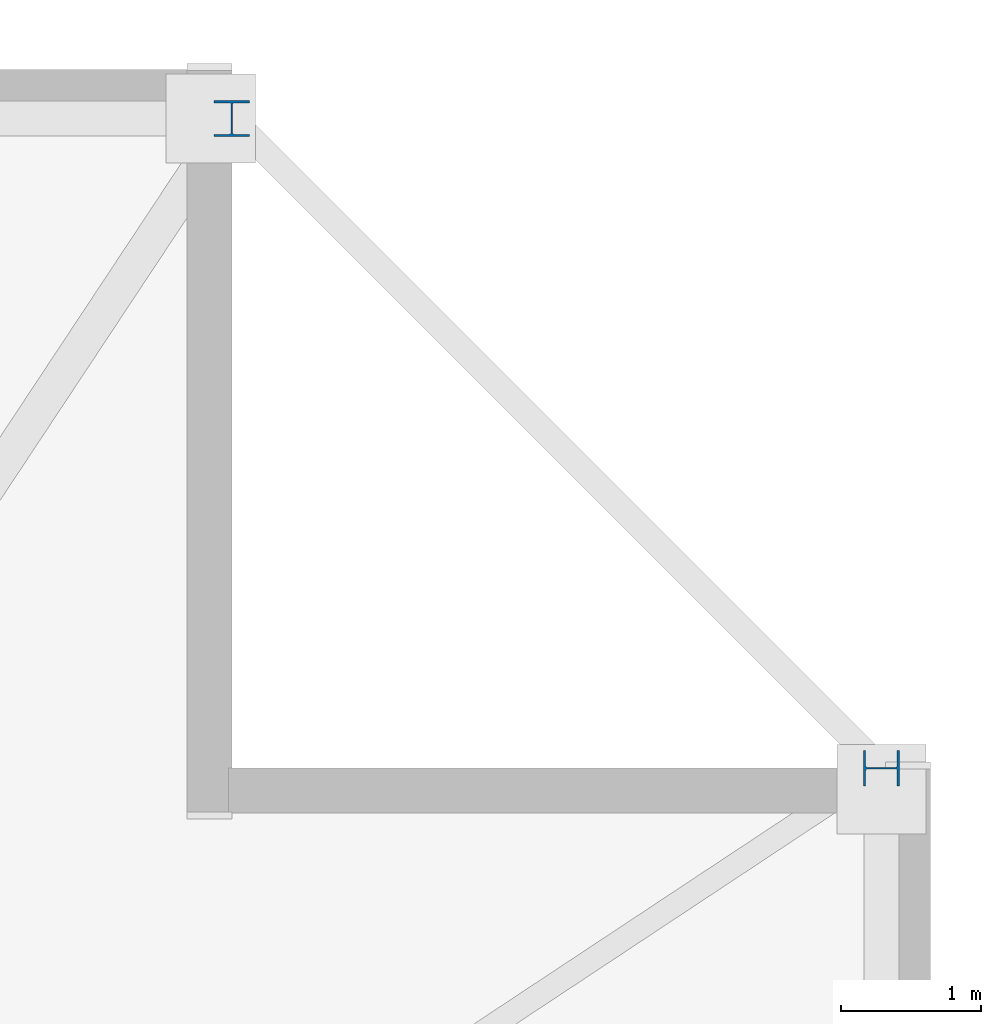
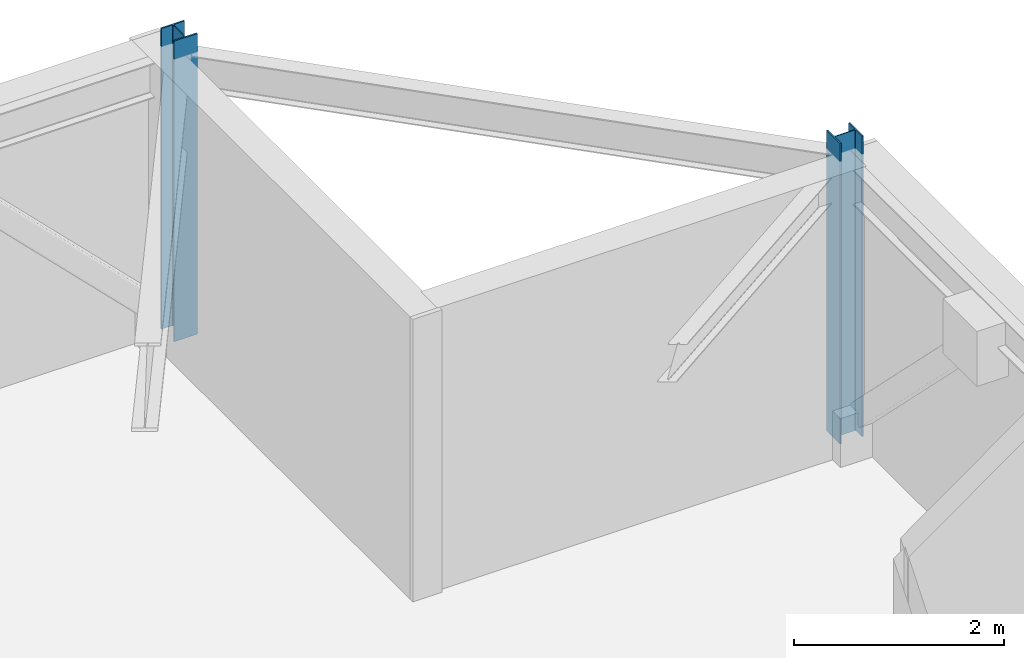
# One storey, part 5 of 17: 2 columns.
"""IFC4 building model written with IfcOpenShell, lengths in metres."""

from ifc_helpers import new_model, si_unit, direction, frame, origin, origin_2d, place, context, subcontext, project, spatial, i_section, extrude, material, material_profile, profile_set, type_object, element, save


model = new_model("IFC4")

# Units and contexts
model_context = context("Model", 3, precision=1e-05, world=origin(), true_north=direction((0.0, 1.0)))
body_context = subcontext(model_context, "Body", "Model", "MODEL_VIEW")
ifc_project = project(units=[si_unit("LENGTHUNIT", "METRE"), si_unit("AREAUNIT", "SQUARE_METRE"), si_unit("VOLUMEUNIT", "CUBIC_METRE"), si_unit("PLANEANGLEUNIT", "RADIAN"), si_unit("MASSUNIT", "GRAM", prefix="KILO")], contexts=[model_context])

# Site, building, storey
site_placement = place(None, origin())
site = spatial("IfcSite", under=ifc_project, at=site_placement, CompositionType="ELEMENT")
building_placement = place(site_placement, origin())
building = spatial("IfcBuilding", under=site, at=building_placement, Name="Cairnveth Concourse Tower", CompositionType="ELEMENT")
storey_placement = place(building_placement, frame((0.0, 0.0, 258.5)))
storey = spatial("IfcBuildingStorey", under=building, at=storey_placement, Name="L71", CompositionType="ELEMENT", Elevation=258.5)

# Columns
ifc_material = material(Name="Steel Grade 350", Category="steel")
ifc_material_profile = material_profile(ifc_material, i_section(OverallWidth=0.256103515625, OverallDepth=0.260009765625, WebThickness=0.010498046875, FlangeThickness=0.017333984375, FilletRadius=0.012939453125, at=origin_2d()), Name="250UC89.5")
ifc_profile_set = profile_set([ifc_material_profile], Name="Steel Grade 350")
column_type = type_object("IfcColumnType", Name="UNIVERSAL STEEL COLUMN 250UC89.5", PredefinedType="COLUMN", material=ifc_profile_set)
for number, where, z_axis, x_axis, name in (
    (1, (74.14990234375, 56.5, 0.0), (0.0, 0.0, 1.0), (0.0, 1.0, 0.0), "Column P-E4 L71"),
    (2, (69.5, 61.14990234375, 0.0), (0.0, 0.0, 1.0), (1.0, 0.0, 0.0), "Column P-N1 L71"),
):
    element("IfcColumn", number, at=place(storey_placement, frame(where, z_axis=z_axis, x_axis=x_axis)), inside=storey, type_object=column_type, Name=name, PredefinedType="COLUMN", context=body_context, shape_type="SweptSolid", body=[
        extrude(i_section(OverallWidth=0.256103515625, OverallDepth=0.260009765625, WebThickness=0.010498046875, FlangeThickness=0.017333984375, FilletRadius=0.012939453125, at=origin_2d()), origin(), (0.0, 0.0, 1.0), 3.5),
    ])

save(model, "model.ifc")
